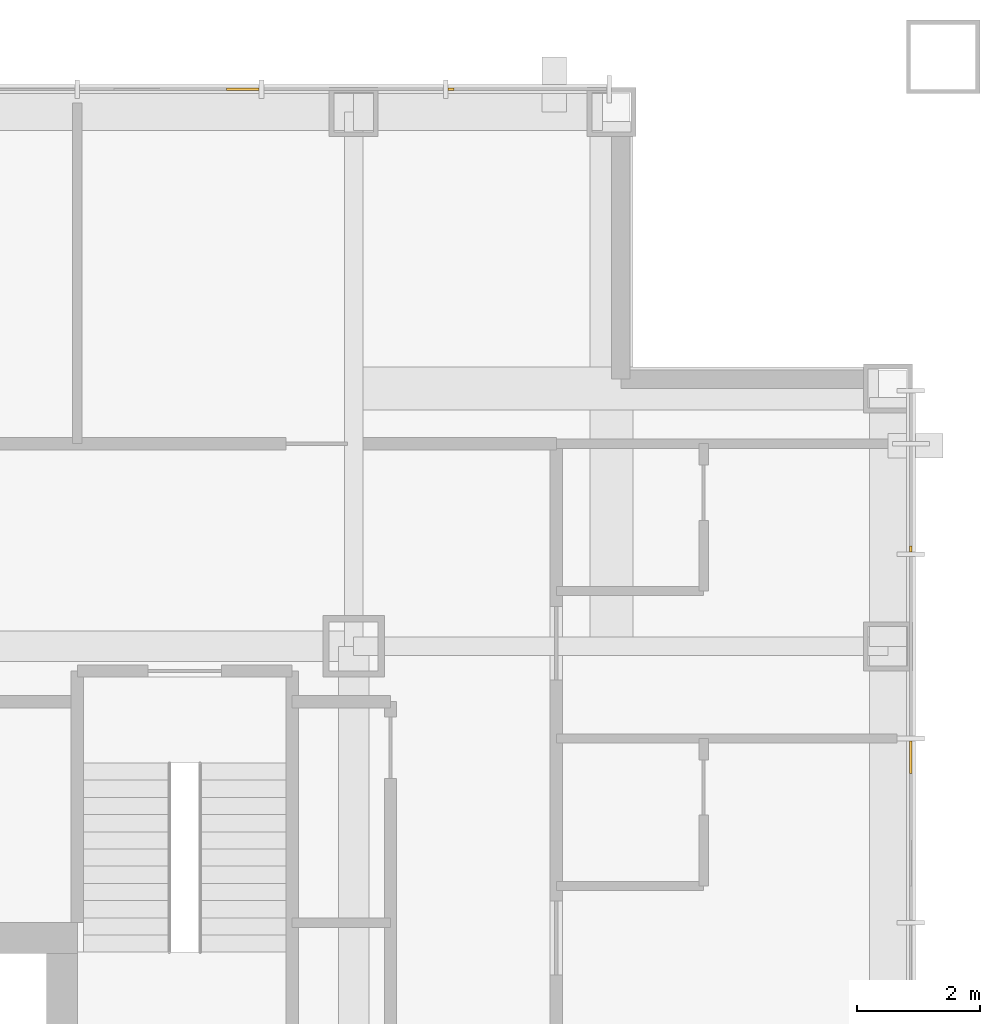
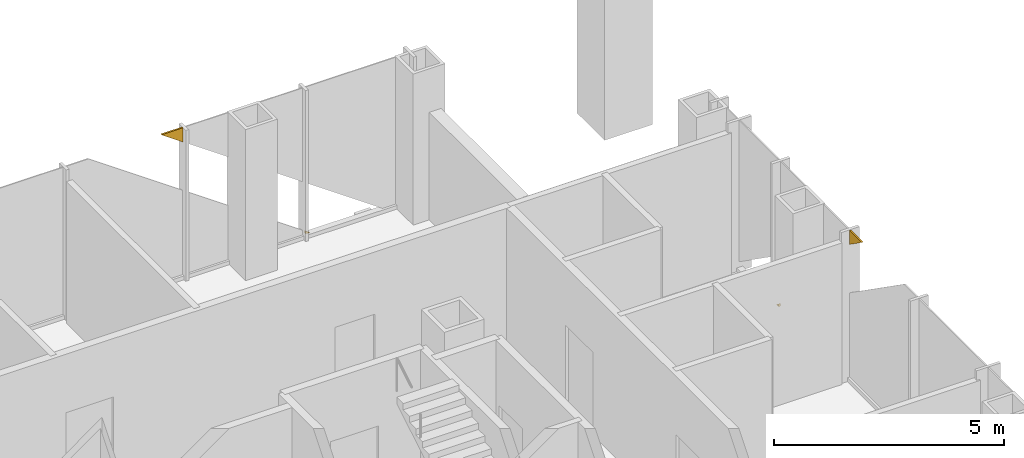
# One storey, part 15 of 15: 4 coverings.
"""IFC4 building model written with IfcOpenShell, lengths in metres."""

from ifc_helpers import new_model, si_unit, direction, frame, origin, place, context, subcontext, project, spatial, polyline, outline, extrude, material, layer, layer_set, type_object, element, save


model = new_model("IFC4")

# Units and contexts
model_context = context("Model", 3, precision=1e-05, world=origin(), true_north=direction((0.0, 1.0)))
body_context = subcontext(model_context, "Body", "Model", "MODEL_VIEW")
ifc_project = project(units=[si_unit("LENGTHUNIT", "METRE"), si_unit("AREAUNIT", "SQUARE_METRE"), si_unit("VOLUMEUNIT", "CUBIC_METRE"), si_unit("PLANEANGLEUNIT", "RADIAN"), si_unit("MASSUNIT", "GRAM", prefix="KILO")], contexts=[model_context])

# Site, building, storey
site_placement = place(None, origin())
site = spatial("IfcSite", under=ifc_project, at=site_placement, CompositionType="ELEMENT")
building_placement = place(site_placement, origin())
building = spatial("IfcBuilding", under=site, at=building_placement, Name="Malebo Sky Hospital", CompositionType="ELEMENT")
storey_placement = place(building_placement, frame((0.0, 0.0, 181.0)))
storey = spatial("IfcBuildingStorey", under=building, at=storey_placement, Name="L43", CompositionType="ELEMENT", Elevation=181.0)

# Coverings
ifc_material = material(Name="Anodised aluminium, natural silver insulated infill panel", Category="aluminium")
ifc_layer = layer(ifc_material, 0.0400390625)
ifc_layer_set = layer_set([ifc_layer], Name="BRACE INFILL PANEL 40")
covering_type = type_object("IfcCoveringType", Name="BRACE INFILL PANEL 40", PredefinedType="CLADDING", material=ifc_layer_set)
covering_1_placement = place(storey_placement, frame((71.695556640625, 84.574951171875, 3.614990234375), z_axis=(0.0, 0.0, 1.0), x_axis=(1.0, 0.0, 0.0)))
element("IfcCovering", 1, at=covering_1_placement, inside=storey, type_object=covering_type, Name="Brace infill panel 11.1", PredefinedType="CLADDING", context=body_context, shape_type="SweptSolid", body=[
    extrude(outline(polyline([(0.26708984375, 0.0), (0.26708984375, 0.375), (-0.26708984375, 0.375), (0.26708984375, 0.0)])), frame((0.0, 0.02001953125, 0.0), z_axis=(0.0, -1.0, 0.0), x_axis=(1.0, 0.0, 0.0)), (0.0, 0.0, 1.0), 0.0400390625),
])
covering_2_placement = place(storey_placement, frame((75.087890625, 84.574951171875, 0.10009765625), z_axis=(0.0, 0.0, 1.0), x_axis=(1.0, 0.0, 0.0)))
element("IfcCovering", 2, at=covering_2_placement, inside=storey, type_object=covering_type, Name="Brace infill panel 13.1", PredefinedType="CLADDING", context=body_context, shape_type="SweptSolid", body=[
    extrude(outline(polyline([(-0.05029296875, 0.0), (0.05029296875, 0.0), (-0.05029296875, 0.07080078125), (-0.05029296875, 0.0)])), frame((0.0, 0.02001953125, 0.0), z_axis=(0.0, -1.0, 0.0), x_axis=(1.0, 0.0, 0.0)), (0.0, 0.0, 1.0), 0.0400390625),
])
covering_3_placement = place(storey_placement, frame((82.574951171875, 77.087890625, 0.10009765625), z_axis=(0.0, 0.0, 1.0), x_axis=(0.0, -1.0, 0.0)))
element("IfcCovering", 3, at=covering_3_placement, inside=storey, type_object=covering_type, Name="Brace infill panel 2.1", PredefinedType="CLADDING", context=body_context, shape_type="SweptSolid", body=[
    extrude(outline(polyline([(-0.05029296875, 0.0), (0.05029296875, 0.0), (0.05029296875, 0.07080078125), (-0.05029296875, 0.0)])), frame((0.0, 0.02001953125, 0.0), z_axis=(0.0, -1.0, 0.0), x_axis=(1.0, 0.0, 0.0)), (0.0, 0.0, 1.0), 0.0400390625),
])
covering_4_placement = place(storey_placement, frame((82.574951171875, 73.695556640625, 3.614990234375), z_axis=(0.0, 0.0, 1.0), x_axis=(0.0, -1.0, 0.0)))
element("IfcCovering", 4, at=covering_4_placement, inside=storey, type_object=covering_type, Name="Brace infill panel 4.1", PredefinedType="CLADDING", context=body_context, shape_type="SweptSolid", body=[
    extrude(outline(polyline([(-0.26708984375, 0.0), (0.26708984375, 0.375), (-0.26708984375, 0.375), (-0.26708984375, 0.0)])), frame((0.0, 0.02001953125, 0.0), z_axis=(0.0, -1.0, 0.0), x_axis=(1.0, 0.0, 0.0)), (0.0, 0.0, 1.0), 0.0400390625),
])

save(model, "model.ifc")
